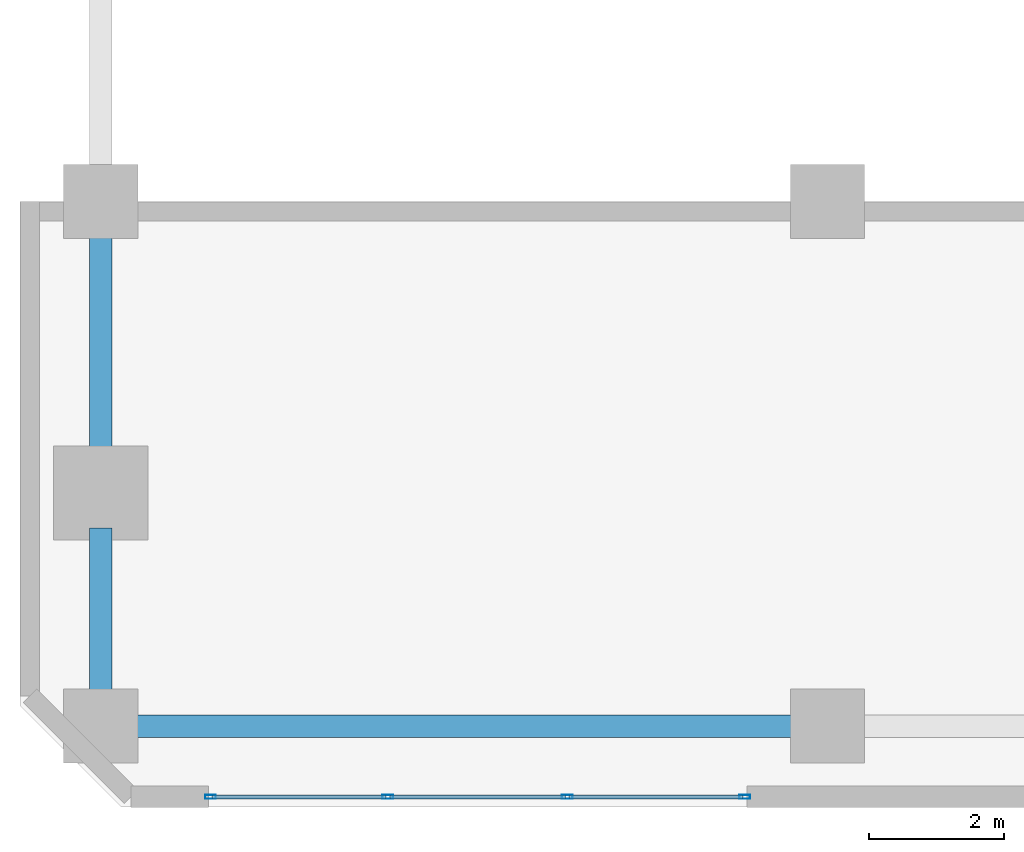
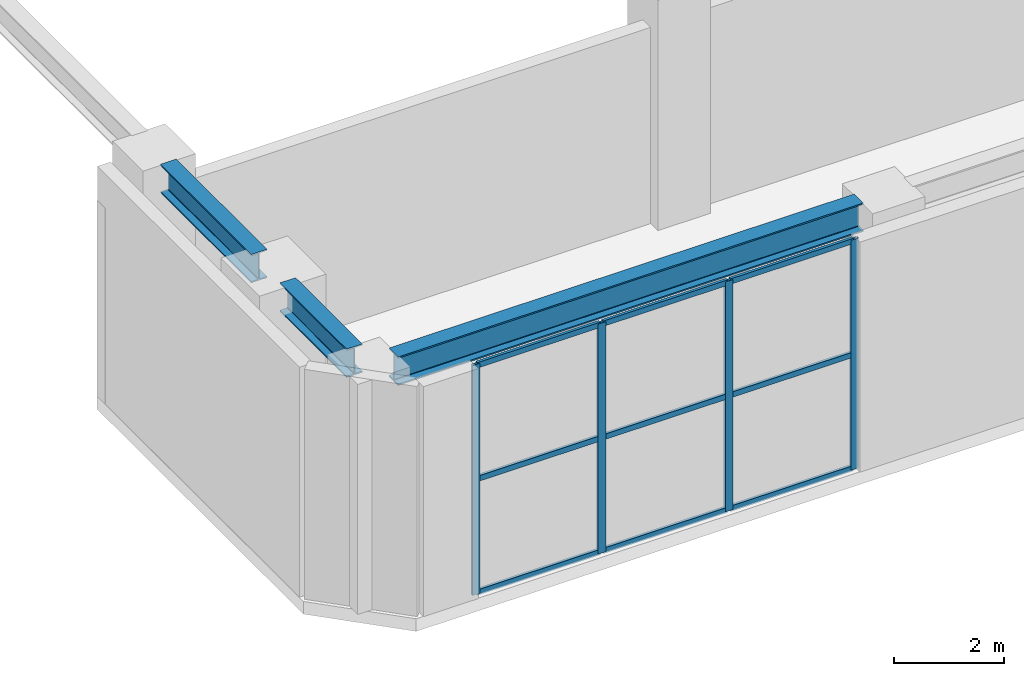
# One storey, part 2 of 32: 13 members, 3 beams, 1 element without a shape of its own.
"""IFC4 building model written with IfcOpenShell, lengths in metres."""

from ifc_helpers import new_model, si_unit, direction, frame, origin, origin_2d, place, context, subcontext, project, spatial, hollow_rectangle, i_section, extrude, material, layer, layer_set, material_profile, profile_set, type_object, element, aggregate, save


model = new_model("IFC4")

# Units and contexts
model_context = context("Model", 3, precision=1e-05, world=origin(), true_north=direction((0.0, 1.0)))
body_context = subcontext(model_context, "Body", "Model", "MODEL_VIEW")
ifc_project = project(units=[si_unit("LENGTHUNIT", "METRE"), si_unit("AREAUNIT", "SQUARE_METRE"), si_unit("VOLUMEUNIT", "CUBIC_METRE"), si_unit("PLANEANGLEUNIT", "RADIAN"), si_unit("MASSUNIT", "GRAM", prefix="KILO")], contexts=[model_context])

# Site, building, storey
site_placement = place(None, origin())
site = spatial("IfcSite", under=ifc_project, at=site_placement, CompositionType="ELEMENT")
building_placement = place(site_placement, origin())
building = spatial("IfcBuilding", under=site, at=building_placement, Name="Sarneth Arch Tower", CompositionType="ELEMENT")
storey_placement = place(building_placement, frame((0.0, 0.0, 11.39990234375)))
storey = spatial("IfcBuildingStorey", under=building, at=storey_placement, Name="L02", CompositionType="ELEMENT", Elevation=11.39990234375)

# Beams
ifc_material_1 = material(Name="Steel S355", Category="steel")
ifc_material_profile_1 = material_profile(ifc_material_1, i_section(OverallWidth=0.3291015625, OverallDepth=0.635009765625, WebThickness=0.017822265625, FlangeThickness=0.031005859375, FilletRadius=0.01904296875, at=origin_2d()), Name="W610x241")
ifc_profile_set_1 = profile_set([ifc_material_profile_1], Name="Steel S355")
beam_type = type_object("IfcBeamType", Name="BM-POD-610", PredefinedType="BEAM", material=ifc_profile_set_1)
beam_1_placement = place(storey_placement, frame((9.719970703125, 9.199951171875, 4.78271484375), z_axis=(1.0, 0.0, 0.0), x_axis=(0.0, 1.0, 0.0)))
element("IfcBeam", 1, at=beam_1_placement, inside=storey, type_object=beam_type, Name="L02 Podium PS girder 1", PredefinedType="BEAM", context=body_context, shape_type="SweptSolid", body=[
    extrude(i_section(OverallWidth=0.3291015625, OverallDepth=0.635009765625, WebThickness=0.017822265625, FlangeThickness=0.031005859375, FilletRadius=0.01904296875, at=origin_2d()), origin(), (0.0, 0.0, 1.0), 9.760009765625),
])
beam_2_placement = place(storey_placement, frame((9.199951171875, 9.719970703125, 4.78271484375), z_axis=(0.0, 1.0, 0.0), x_axis=(-1.0, 0.0, 0.0)))
element("IfcBeam", 2, at=beam_2_placement, inside=storey, type_object=beam_type, Name="L02 Podium PW girder 1", PredefinedType="BEAM", context=body_context, shape_type="SweptSolid", body=[
    extrude(i_section(OverallWidth=0.3291015625, OverallDepth=0.635009765625, WebThickness=0.017822265625, FlangeThickness=0.031005859375, FilletRadius=0.01904296875, at=origin_2d()), origin(), (0.0, 0.0, 1.0), 2.42333984375),
])
beam_3_placement = place(storey_placement, frame((9.199951171875, 13.183349609375, 4.78271484375), z_axis=(0.0, 1.0, 0.0), x_axis=(-1.0, 0.0, 0.0)))
element("IfcBeam", 3, at=beam_3_placement, inside=storey, type_object=beam_type, Name="L02 Podium PW girder 2", PredefinedType="BEAM", context=body_context, shape_type="SweptSolid", body=[
    extrude(i_section(OverallWidth=0.3291015625, OverallDepth=0.635009765625, WebThickness=0.017822265625, FlangeThickness=0.031005859375, FilletRadius=0.01904296875, at=origin_2d()), origin(), (0.0, 0.0, 1.0), 3.296630859375),
])

# Curtain wall, members
ifc_material_2 = material(Name="Anodised aluminium Type AA25 and solar-control low-e laminated IGU", Category="aluminium")
ifc_layer = layer(ifc_material_2, 0.179931640625)
ifc_layer_set = layer_set([ifc_layer], Name="Anodised aluminium Type AA25 and solar-control low-e laminated IGU")
curtain_wall_type = type_object("IfcCurtainWallType", Name="CW-PODIUM-CHAMF", PredefinedType="NOTDEFINED", material=ifc_layer_set)
curtain_wall_placement = place(storey_placement, origin())
curtain_wall = element("IfcCurtainWall", 4, at=curtain_wall_placement, inside=storey, type_object=curtain_wall_type, Name="L02 Podium bay curtain wall SW", PredefinedType="NOTDEFINED")
ifc_material_3 = material(Name="Anodised Aluminium 6063-T6", Category="aluminium")
ifc_material_profile_2 = material_profile(ifc_material_3, hollow_rectangle(XDim=0.06005859375, YDim=0.159912109375, WallThickness=0.00390625, at=origin_2d()), Name="AL-MULL-160x60x4")
ifc_profile_set_2 = profile_set([ifc_material_profile_2], Name="Anodised Aluminium 6063-T6")
member_type_1 = type_object("IfcMemberType", Name="CW-MULLION", PredefinedType="MULLION", material=ifc_profile_set_2)
member_1_placement = place(storey_placement, frame((10.830078125, 8.14990234375, 0.0), z_axis=(0.0, 0.0, 1.0), x_axis=(0.0, 1.0, 0.0)))
member_1 = element("IfcMember", 5, at=member_1_placement, type_object=member_type_1, Name="CW-SYS-1 mullion 1", PredefinedType="MULLION", context=body_context, shape_type="SweptSolid", body=[
    extrude(hollow_rectangle(XDim=0.06005859375, YDim=0.159912109375, WallThickness=0.00390625, at=origin_2d()), origin(), (0.0, 0.0, 1.0), 5.10009765625),
])
member_2_placement = place(storey_placement, frame((13.466552734375, 8.14990234375, 0.0), z_axis=(0.0, 0.0, 1.0), x_axis=(0.0, 1.0, 0.0)))
member_2 = element("IfcMember", 6, at=member_2_placement, type_object=member_type_1, Name="CW-SYS-1 mullion 2", PredefinedType="MULLION", context=body_context, shape_type="SweptSolid", body=[
    extrude(hollow_rectangle(XDim=0.06005859375, YDim=0.159912109375, WallThickness=0.00390625, at=origin_2d()), origin(), (0.0, 0.0, 1.0), 5.10009765625),
])
member_3_placement = place(storey_placement, frame((16.13330078125, 8.14990234375, 0.0), z_axis=(0.0, 0.0, 1.0), x_axis=(0.0, 1.0, 0.0)))
member_3 = element("IfcMember", 7, at=member_3_placement, type_object=member_type_1, Name="CW-SYS-1 mullion 3", PredefinedType="MULLION", context=body_context, shape_type="SweptSolid", body=[
    extrude(hollow_rectangle(XDim=0.06005859375, YDim=0.159912109375, WallThickness=0.00390625, at=origin_2d()), origin(), (0.0, 0.0, 1.0), 5.10009765625),
])
member_4_placement = place(storey_placement, frame((18.77001953125, 8.14990234375, 0.0), z_axis=(0.0, 0.0, 1.0), x_axis=(0.0, 1.0, 0.0)))
member_4 = element("IfcMember", 8, at=member_4_placement, type_object=member_type_1, Name="CW-SYS-1 mullion 4", PredefinedType="MULLION", context=body_context, shape_type="SweptSolid", body=[
    extrude(hollow_rectangle(XDim=0.06005859375, YDim=0.159912109375, WallThickness=0.00390625, at=origin_2d()), origin(), (0.0, 0.0, 1.0), 5.10009765625),
])
ifc_material_4 = material(Name="Anodised Aluminium 6063-T6", Category="aluminium")
ifc_material_profile_3 = material_profile(ifc_material_4, hollow_rectangle(XDim=0.06005859375, YDim=0.1201171875, WallThickness=0.00390625, at=origin_2d()), Name="AL-TRAN-120x60x4")
ifc_profile_set_3 = profile_set([ifc_material_profile_3], Name="Anodised Aluminium 6063-T6")
member_type_2 = type_object("IfcMemberType", Name="CW-TRANSOM", PredefinedType="USERDEFINED", material=ifc_profile_set_3)
member_5_placement = place(storey_placement, frame((10.860107421875, 8.14990234375, 0.030029296875), z_axis=(1.0, 0.0, 0.0), x_axis=(0.0, 1.0, 0.0)))
member_5 = element("IfcMember", 9, at=member_5_placement, type_object=member_type_2, Name="CW-SYS-1 transom 1.1", ObjectType="TRANSOM", PredefinedType="USERDEFINED", context=body_context, shape_type="SweptSolid", body=[
    extrude(hollow_rectangle(XDim=0.06005859375, YDim=0.1201171875, WallThickness=0.00390625, at=origin_2d()), origin(), (0.0, 0.0, 1.0), 2.57666015625),
])
member_6_placement = place(storey_placement, frame((10.860107421875, 8.14990234375, 2.550048828125), z_axis=(1.0, 0.0, 0.0), x_axis=(0.0, 1.0, 0.0)))
member_6 = element("IfcMember", 10, at=member_6_placement, type_object=member_type_2, Name="CW-SYS-1 transom 1.2", ObjectType="TRANSOM", PredefinedType="USERDEFINED", context=body_context, shape_type="SweptSolid", body=[
    extrude(hollow_rectangle(XDim=0.06005859375, YDim=0.1201171875, WallThickness=0.00390625, at=origin_2d()), origin(), (0.0, 0.0, 1.0), 2.57666015625),
])
member_7_placement = place(storey_placement, frame((10.860107421875, 8.14990234375, 5.070068359375), z_axis=(1.0, 0.0, 0.0), x_axis=(0.0, 1.0, 0.0)))
member_7 = element("IfcMember", 11, at=member_7_placement, type_object=member_type_2, Name="CW-SYS-1 transom 1.3", ObjectType="TRANSOM", PredefinedType="USERDEFINED", context=body_context, shape_type="SweptSolid", body=[
    extrude(hollow_rectangle(XDim=0.06005859375, YDim=0.1201171875, WallThickness=0.00390625, at=origin_2d()), origin(), (0.0, 0.0, 1.0), 2.57666015625),
])
member_8_placement = place(storey_placement, frame((13.49658203125, 8.14990234375, 0.030029296875), z_axis=(1.0, 0.0, 0.0), x_axis=(0.0, 1.0, 0.0)))
member_8 = element("IfcMember", 12, at=member_8_placement, type_object=member_type_2, Name="CW-SYS-1 transom 2.1", ObjectType="TRANSOM", PredefinedType="USERDEFINED", context=body_context, shape_type="SweptSolid", body=[
    extrude(hollow_rectangle(XDim=0.06005859375, YDim=0.1201171875, WallThickness=0.00390625, at=origin_2d()), origin(), (0.0, 0.0, 1.0), 2.606689453125),
])
member_9_placement = place(storey_placement, frame((13.49658203125, 8.14990234375, 2.550048828125), z_axis=(1.0, 0.0, 0.0), x_axis=(0.0, 1.0, 0.0)))
member_9 = element("IfcMember", 13, at=member_9_placement, type_object=member_type_2, Name="CW-SYS-1 transom 2.2", ObjectType="TRANSOM", PredefinedType="USERDEFINED", context=body_context, shape_type="SweptSolid", body=[
    extrude(hollow_rectangle(XDim=0.06005859375, YDim=0.1201171875, WallThickness=0.00390625, at=origin_2d()), origin(), (0.0, 0.0, 1.0), 2.606689453125),
])
member_10_placement = place(storey_placement, frame((13.49658203125, 8.14990234375, 5.070068359375), z_axis=(1.0, 0.0, 0.0), x_axis=(0.0, 1.0, 0.0)))
member_10 = element("IfcMember", 14, at=member_10_placement, type_object=member_type_2, Name="CW-SYS-1 transom 2.3", ObjectType="TRANSOM", PredefinedType="USERDEFINED", context=body_context, shape_type="SweptSolid", body=[
    extrude(hollow_rectangle(XDim=0.06005859375, YDim=0.1201171875, WallThickness=0.00390625, at=origin_2d()), origin(), (0.0, 0.0, 1.0), 2.606689453125),
])
member_11_placement = place(storey_placement, frame((16.163330078125, 8.14990234375, 0.030029296875), z_axis=(1.0, 0.0, 0.0), x_axis=(0.0, 1.0, 0.0)))
member_11 = element("IfcMember", 15, at=member_11_placement, type_object=member_type_2, Name="CW-SYS-1 transom 3.1", ObjectType="TRANSOM", PredefinedType="USERDEFINED", context=body_context, shape_type="SweptSolid", body=[
    extrude(hollow_rectangle(XDim=0.06005859375, YDim=0.1201171875, WallThickness=0.00390625, at=origin_2d()), origin(), (0.0, 0.0, 1.0), 2.57666015625),
])
member_12_placement = place(storey_placement, frame((16.163330078125, 8.14990234375, 2.550048828125), z_axis=(1.0, 0.0, 0.0), x_axis=(0.0, 1.0, 0.0)))
member_12 = element("IfcMember", 16, at=member_12_placement, type_object=member_type_2, Name="CW-SYS-1 transom 3.2", ObjectType="TRANSOM", PredefinedType="USERDEFINED", context=body_context, shape_type="SweptSolid", body=[
    extrude(hollow_rectangle(XDim=0.06005859375, YDim=0.1201171875, WallThickness=0.00390625, at=origin_2d()), origin(), (0.0, 0.0, 1.0), 2.57666015625),
])
member_13_placement = place(storey_placement, frame((16.163330078125, 8.14990234375, 5.070068359375), z_axis=(1.0, 0.0, 0.0), x_axis=(0.0, 1.0, 0.0)))
member_13 = element("IfcMember", 17, at=member_13_placement, type_object=member_type_2, Name="CW-SYS-1 transom 3.3", ObjectType="TRANSOM", PredefinedType="USERDEFINED", context=body_context, shape_type="SweptSolid", body=[
    extrude(hollow_rectangle(XDim=0.06005859375, YDim=0.1201171875, WallThickness=0.00390625, at=origin_2d()), origin(), (0.0, 0.0, 1.0), 2.57666015625),
])
aggregate(curtain_wall, [member_1, member_2, member_3, member_4, member_5, member_6, member_7, member_8, member_9, member_10, member_11, member_12, member_13])

save(model, "model.ifc")
